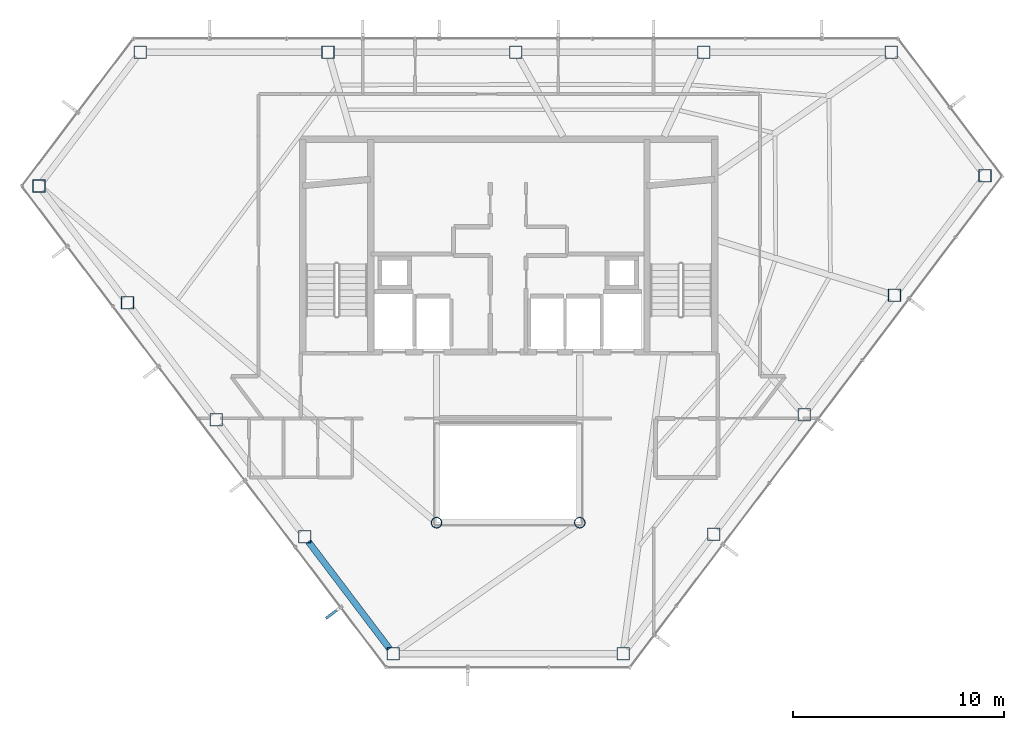
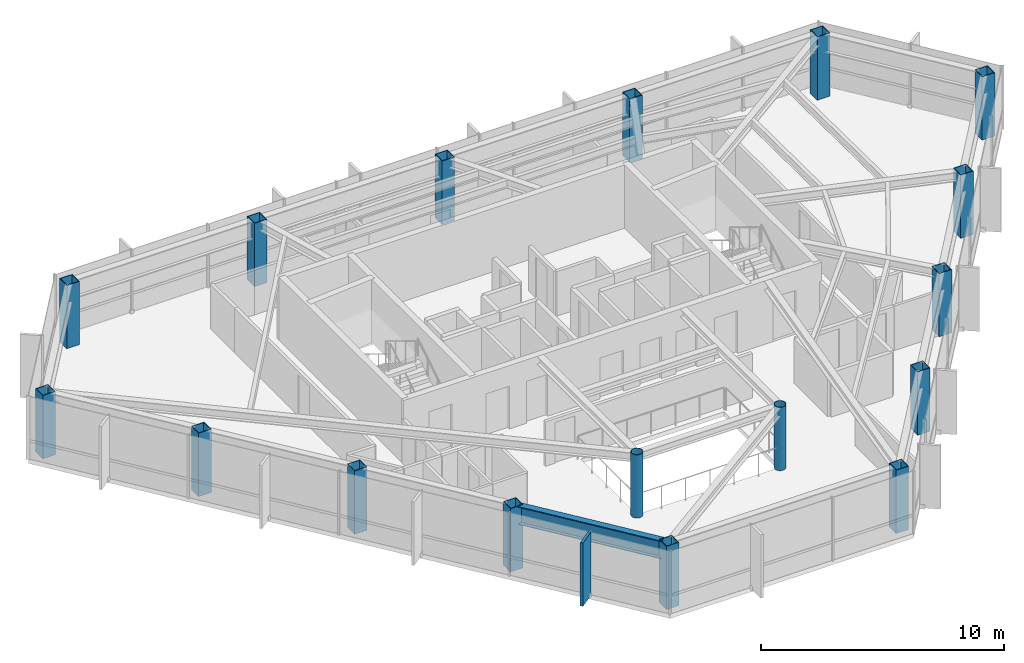
# One storey, part 1 of 27: 17 columns, 1 beam, 1 member, 1 element without a shape of its own.
"""IFC4 building model written with IfcOpenShell, lengths in metres."""

from ifc_helpers import new_model, si_unit, direction, frame, origin, origin_2d, place, context, subcontext, project, spatial, rectangle, hollow_rectangle, hollow_circle, i_section, extrude, material, layer, layer_set, material_profile, profile_set, type_object, element, aggregate, save


model = new_model("IFC4")

# Units and contexts
model_context = context("Model", 3, precision=1e-05, world=origin(), true_north=direction((0.0, 1.0)))
body_context = subcontext(model_context, "Body", "Model", "MODEL_VIEW")
ifc_project = project(units=[si_unit("LENGTHUNIT", "METRE"), si_unit("AREAUNIT", "SQUARE_METRE"), si_unit("VOLUMEUNIT", "CUBIC_METRE"), si_unit("PLANEANGLEUNIT", "RADIAN"), si_unit("MASSUNIT", "GRAM", prefix="KILO")], contexts=[model_context])

# Site, building, storey
site_placement = place(None, origin())
site = spatial("IfcSite", under=ifc_project, at=site_placement, CompositionType="ELEMENT")
building_placement = place(site_placement, origin())
building = spatial("IfcBuilding", under=site, at=building_placement, Name="Zarrinselat Tower", CompositionType="ELEMENT")
storey_placement = place(building_placement, frame((0.0, 0.0, 229.159912109375)))
storey = spatial("IfcBuildingStorey", under=building, at=storey_placement, Name="L57", CompositionType="ELEMENT", Elevation=229.159912109375)

# Columns
ifc_material_1 = material(Name="Steel S355J2", Category="steel")
ifc_material_profile_1 = material_profile(ifc_material_1, hollow_circle(Radius=0.25390625, WallThickness=0.02001953125, at=origin_2d()), Name="CHS 508x20")
ifc_profile_set_1 = profile_set([ifc_material_profile_1], Name="Steel S355J2")
column_type_1 = type_object("IfcColumnType", Name="COL-CHS508", PredefinedType="COLUMN", material=ifc_profile_set_1)
for number, where, z_axis, x_axis, name in (
    (1, (35.0, 25.199951171875, 0.0), (0.0, 0.0, 1.0), (1.0, 0.0, 0.0), "L57 Atrium Corner Column 1"),
    (2, (41.800048828125, 25.199951171875, 0.0), (0.0, 0.0, 1.0), (1.0, 0.0, 0.0), "L57 Atrium Corner Column 2"),
):
    element("IfcColumn", number, at=place(storey_placement, frame(where, z_axis=z_axis, x_axis=x_axis)), inside=storey, type_object=column_type_1, Name=name, PredefinedType="COLUMN", context=body_context, shape_type="SweptSolid", body=[
        extrude(hollow_circle(Radius=0.25390625, WallThickness=0.02001953125, at=origin_2d()), origin(), (0.0, 0.0, 1.0), 3.18017578125),
    ])
ifc_material_2 = material(Name="Steel S355J2", Category="steel")
ifc_material_profile_2 = material_profile(ifc_material_2, hollow_rectangle(XDim=0.60009765625, YDim=0.60009765625, WallThickness=0.030029296875, at=origin_2d()), Name="SHS 600x600x30")
ifc_profile_set_2 = profile_set([ifc_material_profile_2], Name="Steel S355J2")
column_type_2 = type_object("IfcColumnType", Name="COL-SHS600", PredefinedType="COLUMN", material=ifc_profile_set_2)
for number, where, z_axis, x_axis, name in (
    (3, (56.59228515625, 47.52783203125, 0.0), (0.0, 0.0, 1.0), (1.0, 0.0, 0.0), "L57 Framed-Tube Column T01"),
    (4, (47.677734375, 47.52783203125, 0.0), (0.0, 0.0, 1.0), (1.0, 0.0, 0.0), "L57 Framed-Tube Column T02"),
    (5, (38.763427734375, 47.52783203125, 0.0), (0.0, 0.0, 1.0), (1.0, 0.0, 0.0), "L57 Framed-Tube Column T03"),
    (6, (29.848876953125, 47.52783203125, 0.0), (0.0, 0.0, 1.0), (1.0, 0.0, 0.0), "L57 Framed-Tube Column T04"),
    (7, (20.9345703125, 47.52783203125, 0.0), (0.0, 0.0, 1.0), (1.0, 0.0, 0.0), "L57 Framed-Tube Column T05"),
    (8, (16.126708984375, 41.181396484375, 0.0), (0.0, 0.0, 1.0), (1.0, 0.0, 0.0), "L57 Framed-Tube Column T06"),
    (9, (20.330810546875, 35.632080078125, 0.0), (0.0, 0.0, 1.0), (1.0, 0.0, 0.0), "L57 Framed-Tube Column T07"),
    (10, (24.534912109375, 30.082763671875, 0.0), (0.0, 0.0, 1.0), (1.0, 0.0, 0.0), "L57 Framed-Tube Column T08"),
    (11, (28.739013671875, 24.533447265625, 0.0), (0.0, 0.0, 1.0), (1.0, 0.0, 0.0), "L57 Framed-Tube Column T09"),
    (12, (32.943115234375, 18.98388671875, 0.0), (0.0, 0.0, 1.0), (1.0, 0.0, 0.0), "L57 Framed-Tube Column T10"),
    (13, (43.85693359375, 18.98388671875, 0.0), (0.0, 0.0, 1.0), (1.0, 0.0, 0.0), "L57 Framed-Tube Column T11"),
    (14, (48.15185546875, 24.6533203125, 0.0), (0.0, 0.0, 1.0), (1.0, 0.0, 0.0), "L57 Framed-Tube Column T12"),
    (15, (52.44677734375, 30.322509765625, 0.0), (0.0, 0.0, 1.0), (1.0, 0.0, 0.0), "L57 Framed-Tube Column T13"),
    (16, (56.74169921875, 35.99169921875, 0.0), (0.0, 0.0, 1.0), (1.0, 0.0, 0.0), "L57 Framed-Tube Column T14"),
    (17, (61.03662109375, 41.6611328125, 0.0), (0.0, 0.0, 1.0), (1.0, 0.0, 0.0), "L57 Framed-Tube Column T15"),
):
    element("IfcColumn", number, at=place(storey_placement, frame(where, z_axis=z_axis, x_axis=x_axis)), inside=storey, type_object=column_type_2, Name=name, PredefinedType="COLUMN", context=body_context, shape_type="SweptSolid", body=[
        extrude(hollow_rectangle(XDim=0.60009765625, YDim=0.60009765625, WallThickness=0.030029296875, at=origin_2d()), origin(), (0.0, 0.0, 1.0), 3.18017578125),
    ])

# Beam
ifc_material_3 = material(Name="Steel S460M", Category="steel")
ifc_material_profile_3 = material_profile(ifc_material_3, i_section(OverallWidth=0.302001953125, OverallDepth=0.909912109375, WebThickness=0.02099609375, FlangeThickness=0.0400390625, at=origin_2d()), Name="HEM 900")
ifc_profile_set_3 = profile_set([ifc_material_profile_3], Name="Steel S460M")
beam_type = type_object("IfcBeamType", Name="BM-HEM900", PredefinedType="BEAM", material=ifc_profile_set_3)
beam_placement = place(storey_placement, frame((28.912841796875, 24.3037109375, 2.72509765625), z_axis=(0.603865048742, -0.797086571777, 0.0), x_axis=(0.797086571777, 0.603865048742, 0.0)))
element("IfcBeam", 18, at=beam_placement, inside=storey, type_object=beam_type, Name="L57 Perimeter Spandrel Girder SP09", PredefinedType="BEAM", context=body_context, shape_type="SweptSolid", body=[
    extrude(i_section(OverallWidth=0.302001953125, OverallDepth=0.909912109375, WebThickness=0.02099609375, FlangeThickness=0.0400390625, at=origin_2d()), origin(), (0.0, 0.0, 1.0), 6.385986328125),
])

# Curtain wall, member
ifc_material_4 = material(Name="Extruded Aluminium Alloy EN AW-6063 T6", Category="aluminium")
ifc_layer = layer(ifc_material_4, 0.169921875)
ifc_layer_set = layer_set([ifc_layer], Name="Extruded Aluminium Alloy EN AW-6063 T6")
curtain_wall_type = type_object("IfcCurtainWallType", Name="CWS-RES", PredefinedType="NOTDEFINED", material=ifc_layer_set)
curtain_wall_placement = place(storey_placement, origin())
curtain_wall = element("IfcCurtainWall", 19, at=curtain_wall_placement, inside=storey, type_object=curtain_wall_type, Name="L57 Unitised Curtain Wall CW-L57-E03", PredefinedType="NOTDEFINED")
ifc_material_5 = material(Name="Honed Cream Travertine Stone", Category="masonry")
ifc_material_profile_4 = material_profile(ifc_material_5, rectangle(XDim=0.1201171875, YDim=0.85009765625, at=origin_2d()), Name="FIN 850x120")
ifc_profile_set_4 = profile_set([ifc_material_profile_4], Name="Honed Cream Travertine Stone")
member_type = type_object("IfcMemberType", Name="MEM-STONE-FIN", PredefinedType="USERDEFINED", material=ifc_profile_set_4)
member_placement = place(storey_placement, frame((30.089599609375, 20.912109375, 0.0), z_axis=(0.0, 0.0, 1.0), x_axis=(-0.603857419315, 0.7970923517, 0.0)))
member = element("IfcMember", 20, at=member_placement, type_object=member_type, Name="L57 Stone Shading Fin CW-L57-E03-07", ObjectType="FIN", PredefinedType="USERDEFINED", context=body_context, shape_type="SweptSolid", body=[
    extrude(rectangle(XDim=0.1201171875, YDim=0.85009765625, at=origin_2d()), origin(), (0.0, 0.0, 1.0), 3.18017578125),
])
aggregate(curtain_wall, [member])

save(model, "model.ifc")
